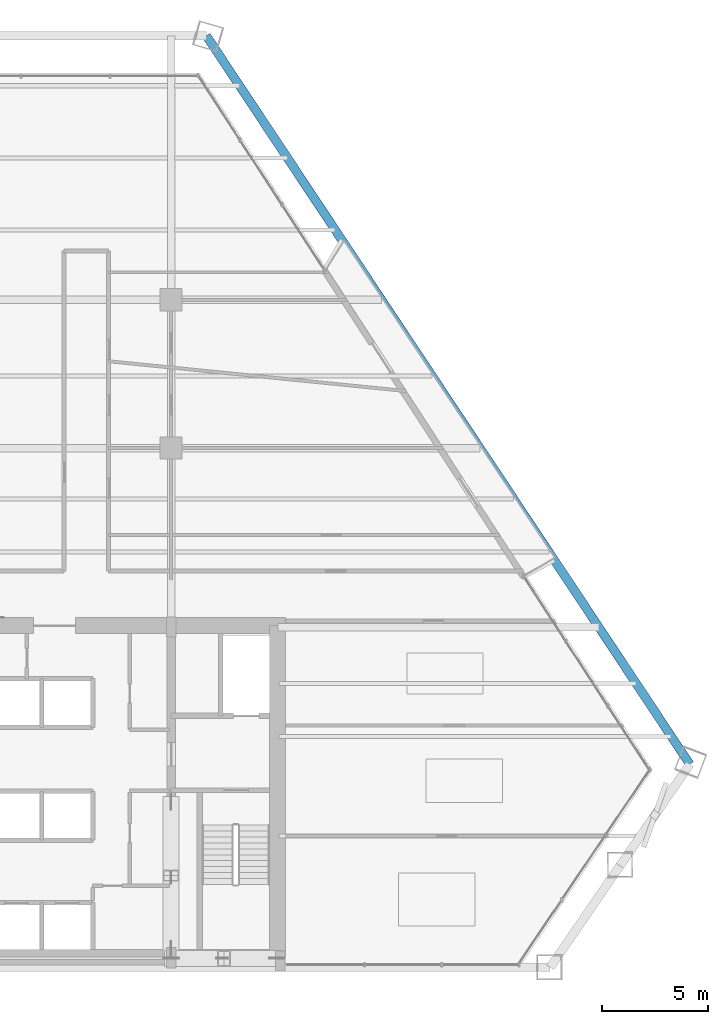
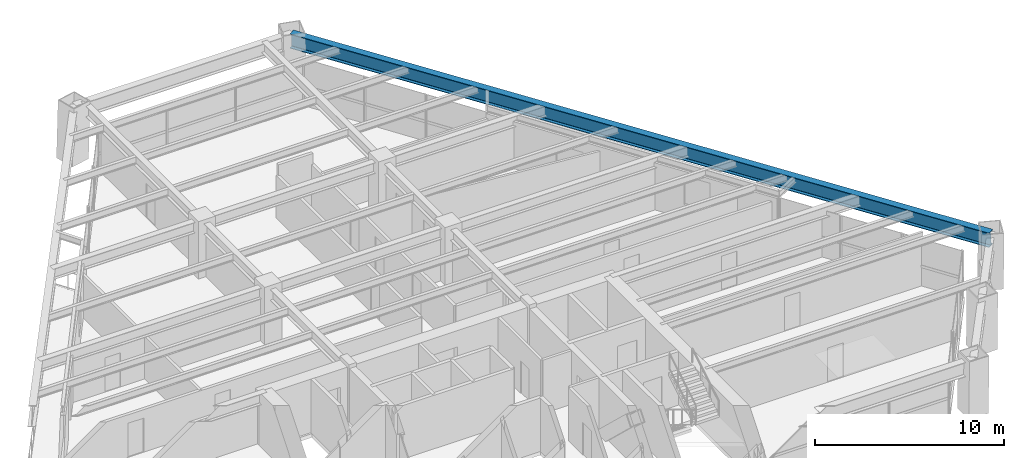
# One storey, part 7 of 14: 1 beam.
"""IFC4 building model written with IfcOpenShell, lengths in metres."""

from ifc_helpers import new_model, si_unit, direction, frame, origin, origin_2d, place, context, subcontext, project, spatial, i_section, extrude, source, transform, mapped, material, material_profile, profile_set, type_object, element, save


model = new_model("IFC4")

# Units and contexts
model_context = context("Model", 3, precision=1e-05, world=origin(), true_north=direction((0.0, 1.0)))
body_context = subcontext(model_context, "Body", "Model", "MODEL_VIEW")
ifc_project = project(units=[si_unit("LENGTHUNIT", "METRE"), si_unit("AREAUNIT", "SQUARE_METRE"), si_unit("VOLUMEUNIT", "CUBIC_METRE"), si_unit("PLANEANGLEUNIT", "RADIAN"), si_unit("MASSUNIT", "GRAM", prefix="KILO")], contexts=[model_context])

# Site, building, storey
site_placement = place(None, origin())
site = spatial("IfcSite", under=ifc_project, at=site_placement, CompositionType="ELEMENT")
building_placement = place(site_placement, origin())
building = spatial("IfcBuilding", under=site, at=building_placement, Name="Varnakhor Terracotta Tower", CompositionType="ELEMENT")
storey_placement = place(building_placement, frame((0.0, 0.0, 87.699951171875)))
storey = spatial("IfcBuildingStorey", under=building, at=storey_placement, Name="L21", CompositionType="ELEMENT", Elevation=87.699951171875)

# Beam
ifc_material = material(Name="Steel S355", Category="steel")
ifc_material_profile = material_profile(ifc_material, i_section(OverallWidth=0.41796875, OverallDepth=0.927001953125, WebThickness=0.01904296875, FlangeThickness=0.031982421875, FilletRadius=0.01806640625, at=origin_2d()), Name="W36X231")
ifc_profile_set = profile_set([ifc_material_profile], Name="Steel S355")
beam_type = type_object("IfcBeamType", Name="BM-W36X231", PredefinedType="BEAM", material=ifc_profile_set)
shared_shape = source(origin(), body_context, "Body", "SweptSolid", [
    extrude(i_section(OverallWidth=0.41796875, OverallDepth=0.927001953125, WebThickness=0.01904296875, FlangeThickness=0.031982421875, FilletRadius=0.01806640625, at=origin_2d()), origin(), (0.0, 0.0, 1.0), 41.260498046875),
])
beam_placement = place(storey_placement, frame((29.9794921875, 9.580078125, 2.986572265625), z_axis=(-0.552937489749, 0.833222738786, 0.0), x_axis=(-0.833222738786, -0.552937489749, 0.0)))
element("IfcBeam", 1, at=beam_placement, inside=storey, type_object=beam_type, Name="L21 Perimeter Spandrel 4", PredefinedType="BEAM", context=body_context, shape_type="MappedRepresentation", body=[
    mapped(shared_shape, transform((0.0, 0.0, 0.0), scale=1.0)),
])

save(model, "model.ifc")
